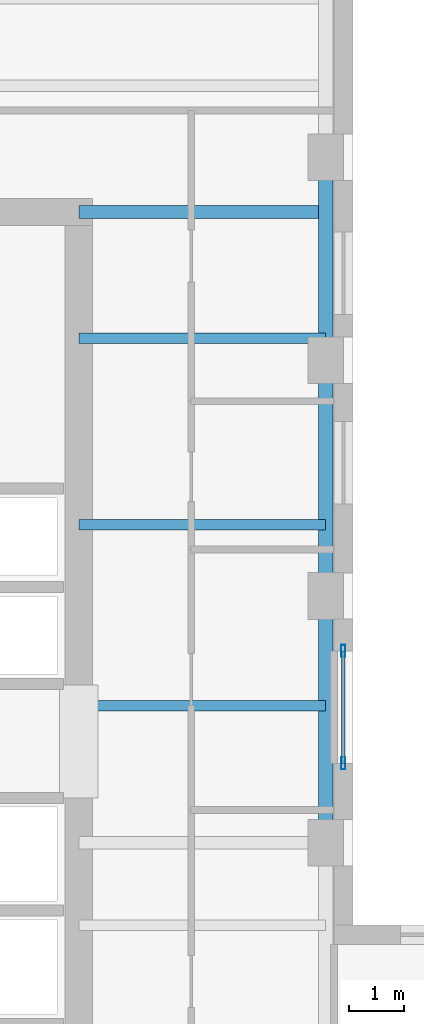
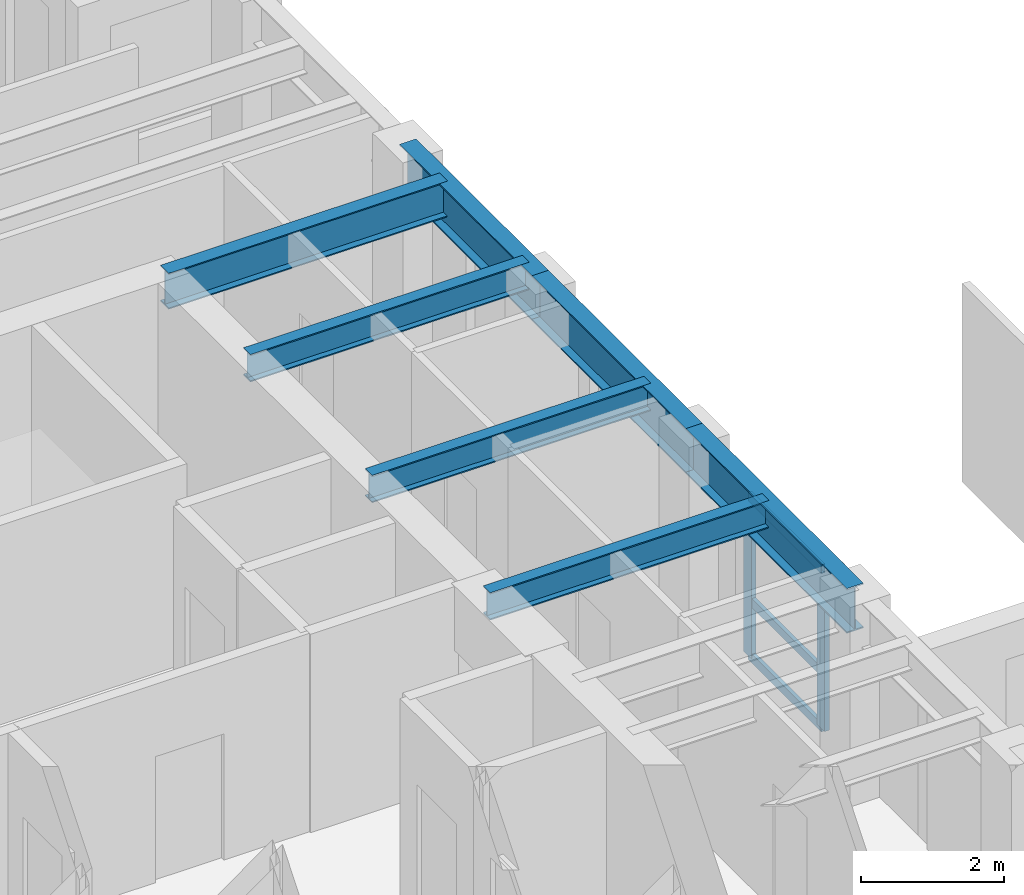
# One storey, part 2 of 11: 7 beams, 5 members, 1 element without a shape of its own.
"""IFC4 building model written with IfcOpenShell, lengths in metres."""

import ifcopenshell
import ifcopenshell.guid

model = None  # the IFC model being written
_history = None  # IfcOwnerHistory: only IFC2X3 demands one
_inside = {}  # id of a spatial element -> (the spatial element, [elements in it])
_under = {}  # id of a project, library or spatial element -> (it, [spatial elements below it])
_declared = {}  # id of a project -> (the project, [libraries it declares])
_typed = {}  # id of a type object -> (the type object, [elements of that type])
_made_of = {}  # id of a material, layer set ... -> (it, [elements and type objects made of it])


def new_model(schema):
    """Start an empty IFC model of exactly this schema.

    Asked for "IFC4X3", IfcOpenShell would pick the latest addendum, in which some entities
    have other attributes; the version numbers below select the first issue.
    IFC2X3 requires an IfcOwnerHistory on every rooted entity: one is made here for all.
    """
    global model, _history
    if schema == "IFC4X3":
        model = ifcopenshell.file(schema_version=(4, 3, 0, 0))
    else:
        model = ifcopenshell.file(schema=schema)
    _inside.clear()
    _under.clear()
    _declared.clear()
    _typed.clear()
    _made_of.clear()
    _history = None
    if model.schema == "IFC2X3":
        org = make("IfcOrganization", Name="unknown")
        user = make(
            "IfcPersonAndOrganization",
            ThePerson=make("IfcPerson", FamilyName="unknown"),
            TheOrganization=org,
        )
        app = make(
            "IfcApplication",
            ApplicationDeveloper=org,
            Version="unknown",
            ApplicationFullName="unknown",
            ApplicationIdentifier="unknown",
        )
        _history = make(
            "IfcOwnerHistory",
            OwningUser=user,
            OwningApplication=app,
            ChangeAction="ADDED",
            CreationDate=0,
        )
    return model


def make(cls, **values):
    """One entity of the class cls with the attributes given. An attribute that is None is left unset."""
    return model.create_entity(
        cls, **{name: value for name, value in values.items() if value is not None}
    )


def rooted(cls, **values):
    """An entity with a GlobalId (a new one), such as an element, a storey or a relation."""
    return make(cls, GlobalId=ifcopenshell.guid.new(), OwnerHistory=_history, **values)


def si_unit(unit_type, name, prefix=None):
    """IfcSIUnit, for example si_unit("LENGTHUNIT", "METRE", prefix="MILLI")."""
    return make("IfcSIUnit", UnitType=unit_type, Prefix=prefix, Name=name)


def assignment(units):
    """IfcUnitAssignment: the units of a project."""
    return None if units is None else make("IfcUnitAssignment", Units=units)


def point(xyz):
    """IfcCartesianPoint."""
    return None if xyz is None else make("IfcCartesianPoint", Coordinates=xyz)


def direction(xyz):
    """IfcDirection."""
    return None if xyz is None else make("IfcDirection", DirectionRatios=xyz)


def frame(location, z_axis=None, x_axis=None):
    """IfcAxis2Placement3D, a coordinate frame: its origin and axes. An axis left out is left unset."""
    return make(
        "IfcAxis2Placement3D",
        Location=point(location),
        Axis=direction(z_axis),
        RefDirection=direction(x_axis),
    )


def frame_2d(location, x_axis=None):
    """IfcAxis2Placement2D, a coordinate frame in the plane: its origin and x axis."""
    return make(
        "IfcAxis2Placement2D", Location=point(location), RefDirection=direction(x_axis)
    )


def origin():
    """The frame at (0, 0, 0) with its axes left unset."""
    return frame((0.0, 0.0, 0.0))


def origin_2d():
    """The frame at (0, 0) in the plane with its x axis left unset."""
    return frame_2d((0.0, 0.0))


def place(relative_to, where):
    """IfcLocalPlacement: puts the frame where relative to a parent placement (None: the world)."""
    return make(
        "IfcLocalPlacement", PlacementRelTo=relative_to, RelativePlacement=where
    )


def context(
    kind, dimensions, precision=None, world=None, true_north=None, identifier=None
):
    """IfcGeometricRepresentationContext, for example the 3D "Model" context."""
    return make(
        "IfcGeometricRepresentationContext",
        ContextIdentifier=identifier,
        ContextType=kind,
        CoordinateSpaceDimension=dimensions,
        Precision=precision,
        WorldCoordinateSystem=world,
        TrueNorth=true_north,
    )


def subcontext(parent, identifier, kind, view, scale=None):
    """IfcGeometricRepresentationSubContext, for example "Body" below "Model"."""
    return make(
        "IfcGeometricRepresentationSubContext",
        ContextIdentifier=identifier,
        ContextType=kind,
        ParentContext=parent,
        TargetScale=scale,
        TargetView=view,
    )


def project(units=None, contexts=None):
    """IfcProject with its units and contexts."""
    return rooted(
        "IfcProject",
        Name="project",
        RepresentationContexts=contexts,
        UnitsInContext=assignment(units),
    )


def spatial(cls, under=None, at=None, **own):
    """A site, building, storey or space (cls), placed at a placement, below another one or the project."""
    s = rooted(cls, ObjectPlacement=at, **own)
    if under is not None:
        _under.setdefault(under.id(), (under, []))[1].append(s)
    return s


def profile(cls, at=None, kind="AREA", **sizes):
    """A parametric profile (cls). Its sizes go by their IFC names, for example OverallWidth=200.0."""
    return make(cls, ProfileType=kind, Position=at, **sizes)


def hollow_rectangle(**sizes):
    """IfcRectangleHollowProfileDef."""
    return profile("IfcRectangleHollowProfileDef", **sizes)


def i_section(**sizes):
    """IfcIShapeProfileDef."""
    return profile("IfcIShapeProfileDef", **sizes)


def extrude(swept, where, along, depth):
    """IfcExtrudedAreaSolid: the profile swept, set in the frame where, extruded along a direction by depth."""
    return make(
        "IfcExtrudedAreaSolid",
        SweptArea=swept,
        Position=where,
        ExtrudedDirection=direction(along),
        Depth=depth,
    )


def shape(context_of_items, identifier, shape_type, items):
    """IfcShapeRepresentation: the items that make up one representation, for example the "Body"."""
    return make(
        "IfcShapeRepresentation",
        ContextOfItems=context_of_items,
        RepresentationIdentifier=identifier,
        RepresentationType=shape_type,
        Items=items,
    )


def source(mapping_origin, context_of_items, identifier, shape_type, items):
    """IfcRepresentationMap: a shape defined once, which mapped items show again and again."""
    return make(
        "IfcRepresentationMap",
        MappingOrigin=mapping_origin,
        MappedRepresentation=shape(context_of_items, identifier, shape_type, items),
    )


def transform(
    local_origin,
    x_axis=None,
    y_axis=None,
    z_axis=None,
    scale=None,
    scale2=None,
    scale3=None,
    uniform=True,
):
    """IfcCartesianTransformationOperator3D, or its non-uniform kind. x_axis, y_axis, z_axis: its Axis1, 2, 3."""
    if uniform:
        return make(
            "IfcCartesianTransformationOperator3D",
            Axis1=direction(x_axis),
            Axis2=direction(y_axis),
            LocalOrigin=point(local_origin),
            Scale=scale,
            Axis3=direction(z_axis),
        )
    return make(
        "IfcCartesianTransformationOperator3DnonUniform",
        Axis1=direction(x_axis),
        Axis2=direction(y_axis),
        LocalOrigin=point(local_origin),
        Scale=scale,
        Axis3=direction(z_axis),
        Scale2=scale2,
        Scale3=scale3,
    )


def mapped(mapping_source, mapping_target):
    """IfcMappedItem: shows the shape of a source again, moved by a transform."""
    return make(
        "IfcMappedItem", MappingSource=mapping_source, MappingTarget=mapping_target
    )


def material(Name=None, Category=None):
    """IfcMaterial."""
    return make("IfcMaterial", Name=Name, Category=Category)


def layer(
    of_material, thickness, ventilated=None, Name=None, Category=None, Priority=None
):
    """IfcMaterialLayer: one layer of a wall or slab, of a material (None: an air gap)."""
    return make(
        "IfcMaterialLayer",
        Material=of_material,
        LayerThickness=thickness,
        IsVentilated=ventilated,
        Name=Name,
        Category=Category,
        Priority=Priority,
    )


def layer_set(layers, Name=None):
    """IfcMaterialLayerSet."""
    return make("IfcMaterialLayerSet", MaterialLayers=layers, LayerSetName=Name)


def material_profile(
    of_material, cross_section, Name=None, Category=None, Priority=None
):
    """IfcMaterialProfile: a cross section and its material."""
    return make(
        "IfcMaterialProfile",
        Name=Name,
        Material=of_material,
        Profile=cross_section,
        Priority=Priority,
        Category=Category,
    )


def profile_set(profiles, Name=None, composite=None):
    """IfcMaterialProfileSet."""
    return make(
        "IfcMaterialProfileSet",
        Name=Name,
        MaterialProfiles=profiles,
        CompositeProfile=composite,
    )


def made_of(thing, what):
    """Note that an element or type object is made of a material, layer set ...; save() writes the relation."""
    if what is not None:
        _made_of.setdefault(what.id(), (what, []))[1].append(thing)
    return thing


def type_object(cls, material=None, **own):
    """A type object (cls), such as IfcWallType, which elements share."""
    return made_of(rooted(cls, **own), material)


def element(
    cls,
    number,
    at=None,
    inside=None,
    cuts=None,
    type_object=None,
    material=None,
    context=None,
    identifier="Body",
    shape_type=None,
    held_by="IfcProductDefinitionShape",
    body=None,
    shapes=None,
    **own,
):
    """One element of the class cls, such as IfcWall. Its Tag is "e" and its number.

    at: its placement. inside: the storey or other place that contains it. cuts: it is an
    opening in that element (IfcRelVoidsElement). A single representation is given by context,
    identifier, shape_type and body (its items); several are given by shapes. held_by: the class
    of the entity that holds the representations. save() writes the other relations.
    """
    e = rooted(cls, Tag="e%d" % number, ObjectPlacement=at, **own)
    if body is not None:
        shapes = [shape(context, identifier, shape_type, body)]
    if shapes is not None:
        e.Representation = make(held_by, Representations=shapes)
    if inside is not None:
        _inside.setdefault(inside.id(), (inside, []))[1].append(e)
    if cuts is not None:
        rooted(
            "IfcRelVoidsElement", RelatingBuildingElement=cuts, RelatedOpeningElement=e
        )
    if type_object is not None:
        _typed.setdefault(type_object.id(), (type_object, []))[1].append(e)
    return made_of(e, material)


def aggregate(whole, parts):
    """IfcRelAggregates: a whole, such as a stair, and the parts it consists of."""
    return rooted("IfcRelAggregates", RelatingObject=whole, RelatedObjects=parts)


def save(model, path):
    """Write the relations noted so far, then the file.

    IfcRelAggregates (storeys below a building ...), IfcRelContainedInSpatialStructure (elements
    in a storey), IfcRelDefinesByType, IfcRelAssociatesMaterial and IfcRelDeclares: one each for
    every whole, place, type object, material and project.
    """
    for whole, parts in _under.values():
        aggregate(whole, parts)
    for where, things in _inside.values():
        rooted(
            "IfcRelContainedInSpatialStructure",
            RelatedElements=things,
            RelatingStructure=where,
        )
    for kind, things in _typed.values():
        rooted("IfcRelDefinesByType", RelatedObjects=things, RelatingType=kind)
    for what, things in _made_of.values():
        rooted("IfcRelAssociatesMaterial", RelatedObjects=things, RelatingMaterial=what)
    for by, libraries in _declared.values():
        rooted("IfcRelDeclares", RelatingContext=by, RelatedDefinitions=libraries)
    model.write(path)


model = new_model("IFC4")

# Units and contexts
model_context = context("Model", 3, precision=1e-05, world=origin(), true_north=direction((0.0, 1.0)))
body_context = subcontext(model_context, "Body", "Model", "MODEL_VIEW")
ifc_project = project(units=[si_unit("LENGTHUNIT", "METRE"), si_unit("AREAUNIT", "SQUARE_METRE"), si_unit("VOLUMEUNIT", "CUBIC_METRE"), si_unit("PLANEANGLEUNIT", "RADIAN"), si_unit("MASSUNIT", "GRAM", prefix="KILO")], contexts=[model_context])

# Site, building, storey
site_placement = place(None, origin())
site = spatial("IfcSite", under=ifc_project, at=site_placement, CompositionType="ELEMENT")
building_placement = place(site_placement, origin())
building = spatial("IfcBuilding", under=site, at=building_placement, Name="Kharzan Plaza Tower", CompositionType="ELEMENT")
storey_placement = place(building_placement, frame((0.0, 0.0, 226.800048828125)))
storey = spatial("IfcBuildingStorey", under=building, at=storey_placement, Name="L61", CompositionType="ELEMENT", Elevation=226.800048828125)

# Beams
ifc_material_1 = material(Name="Steel S355", Category="steel")
ifc_material_profile_1 = material_profile(ifc_material_1, i_section(OverallWidth=0.194091796875, OverallDepth=0.468994140625, WebThickness=0.011474609375, FlangeThickness=0.0205078125, at=origin_2d()), Name="W460x106")
ifc_profile_set_1 = profile_set([ifc_material_profile_1], Name="Steel S355")
beam_type_1 = type_object("IfcBeamType", Name="BM-JST460", PredefinedType="JOIST", material=ifc_profile_set_1)
shared_shape_1 = source(origin(), body_context, "Body", "SweptSolid", [
    extrude(i_section(OverallWidth=0.194091796875, OverallDepth=0.468994140625, WebThickness=0.011474609375, FlangeThickness=0.0205078125, at=origin_2d()), origin(), (0.0, 0.0, 1.0), 4.5),
])
for number, where, z_axis, x_axis, name in (
    (1, (14.5, 20.5, 3.16552734375), (1.0, 0.0, 0.0), (0.0, 1.0, 0.0), "L61 Wing A East Infill Joist 4"),
    (2, (14.5, 23.800048828125, 3.16552734375), (1.0, 0.0, 0.0), (0.0, 1.0, 0.0), "L61 Wing A East Infill Joist 5"),
    (3, (14.5, 27.199951171875, 3.16552734375), (1.0, 0.0, 0.0), (0.0, 1.0, 0.0), "L61 Wing A East Infill Joist 6"),
):
    element("IfcBeam", number, at=place(storey_placement, frame(where, z_axis=z_axis, x_axis=x_axis)), inside=storey, type_object=beam_type_1, Name=name, PredefinedType="JOIST", context=body_context, shape_type="MappedRepresentation", body=[
        mapped(shared_shape_1, transform((0.0, 0.0, 0.0), x_axis=(1.0, 0.0, 0.0), y_axis=(0.0, 1.0, 0.0), z_axis=(0.0, 0.0, 1.0))),
    ])

# Curtain wall, members
ifc_material_2 = material(Name="Unitised Bronze-Anodized Aluminium and Low-E Glass", Category="aluminium")
ifc_layer = layer(ifc_material_2, 0.199951171875)
ifc_layer_set = layer_set([ifc_layer], Name="Unitised Bronze-Anodized Aluminium and Low-E Glass")
curtain_wall_type = type_object("IfcCurtainWallType", Name="CW-SLOT-3", PredefinedType="NOTDEFINED", material=ifc_layer_set)
curtain_wall_placement = place(storey_placement, origin())
curtain_wall = element("IfcCurtainWall", 4, at=curtain_wall_placement, inside=storey, type_object=curtain_wall_type, Name="L61 West Slot Recessed Spine Curtain Wall", PredefinedType="NOTDEFINED")
ifc_material_3 = material(Name="Anodized Bronze Aluminium", Category="aluminium")
ifc_material_profile_2 = material_profile(ifc_material_3, hollow_rectangle(XDim=0.074951171875, YDim=0.219970703125, WallThickness=0.00390625, at=origin_2d()), Name="ALU-M220x75x4")
ifc_profile_set_2 = profile_set([ifc_material_profile_2], Name="Anodized Bronze Aluminium")
member_type_1 = type_object("IfcMemberType", Name="MEM-CW-MUL200", PredefinedType="MULLION", material=ifc_profile_set_2)
shared_shape_2 = source(origin(), body_context, "Body", "SweptSolid", [
    extrude(hollow_rectangle(XDim=0.074951171875, YDim=0.219970703125, WallThickness=0.00390625, at=origin_2d()), origin(), (0.0, 0.0, 1.0), 2.699951171875),
])
member_1_placement = place(storey_placement, frame((19.320068359375, 19.449951171875, 0.0), z_axis=(0.0, 0.0, 1.0), x_axis=(1.0, 0.0, 0.0)))
member_1 = element("IfcMember", 5, at=member_1_placement, type_object=member_type_1, Name="L61 Curtain-Wall Mullion 00", PredefinedType="MULLION", context=body_context, shape_type="MappedRepresentation", body=[
    mapped(shared_shape_2, transform((0.0, 0.0, 0.0), x_axis=(1.0, 0.0, 0.0), y_axis=(0.0, 1.0, 0.0), z_axis=(0.0, 0.0, 1.0))),
])
member_2_placement = place(storey_placement, frame((19.320068359375, 21.5, 0.0), z_axis=(0.0, 0.0, 1.0), x_axis=(1.0, 0.0, 0.0)))
member_2 = element("IfcMember", 6, at=member_2_placement, type_object=member_type_1, Name="L61 Curtain-Wall Mullion 01", PredefinedType="MULLION", context=body_context, shape_type="MappedRepresentation", body=[
    mapped(shared_shape_2, transform((0.0, 0.0, 0.0), x_axis=(1.0, 0.0, 0.0), y_axis=(0.0, 1.0, 0.0), z_axis=(0.0, 0.0, 1.0))),
])
ifc_material_profile_3 = material_profile(ifc_material_3, hollow_rectangle(XDim=0.06005859375, YDim=0.14990234375, WallThickness=0.00341796875, at=origin_2d()), Name="ALU-T150x60x3.5")
ifc_profile_set_3 = profile_set([ifc_material_profile_3], Name="Anodized Bronze Aluminium")
member_type_2 = type_object("IfcMemberType", Name="MEM-CW-TRN150", PredefinedType="USERDEFINED", material=ifc_profile_set_3)
shared_shape_3 = source(origin(), body_context, "Body", "SweptSolid", [
    extrude(hollow_rectangle(XDim=0.06005859375, YDim=0.14990234375, WallThickness=0.00341796875, at=origin_2d()), origin(), (0.0, 0.0, 1.0), 2.050048828125),
])
member_3_placement = place(storey_placement, frame((19.320068359375, 19.449951171875, 0.0), z_axis=(0.0, 1.0, 0.0), x_axis=(-1.0, 0.0, 0.0)))
member_3 = element("IfcMember", 7, at=member_3_placement, type_object=member_type_2, Name="L61 Curtain-Wall Transom 1", ObjectType="TRANSOM", PredefinedType="USERDEFINED", context=body_context, shape_type="MappedRepresentation", body=[
    mapped(shared_shape_3, transform((0.0, 0.0, 0.0), x_axis=(1.0, 0.0, 0.0), y_axis=(0.0, 1.0, 0.0), z_axis=(0.0, 0.0, 1.0))),
])
member_4_placement = place(storey_placement, frame((19.320068359375, 19.449951171875, 0.949951171875), z_axis=(0.0, 1.0, 0.0), x_axis=(-1.0, 0.0, 0.0)))
member_4 = element("IfcMember", 8, at=member_4_placement, type_object=member_type_2, Name="L61 Curtain-Wall Transom 2", ObjectType="TRANSOM", PredefinedType="USERDEFINED", context=body_context, shape_type="MappedRepresentation", body=[
    mapped(shared_shape_3, transform((0.0, 0.0, 0.0), x_axis=(1.0, 0.0, 0.0), y_axis=(0.0, 1.0, 0.0), z_axis=(0.0, 0.0, 1.0))),
])
member_5_placement = place(storey_placement, frame((19.320068359375, 19.449951171875, 2.699951171875), z_axis=(0.0, 1.0, 0.0), x_axis=(-1.0, 0.0, 0.0)))
member_5 = element("IfcMember", 9, at=member_5_placement, type_object=member_type_2, Name="L61 Curtain-Wall Transom 3", ObjectType="TRANSOM", PredefinedType="USERDEFINED", context=body_context, shape_type="MappedRepresentation", body=[
    mapped(shared_shape_3, transform((0.0, 0.0, 0.0), x_axis=(1.0, 0.0, 0.0), y_axis=(0.0, 1.0, 0.0), z_axis=(0.0, 0.0, 1.0))),
])
aggregate(curtain_wall, [member_1, member_2, member_3, member_4, member_5])

# Beams
ifc_material_profile_4 = material_profile(ifc_material_1, i_section(OverallWidth=0.22900390625, OverallDepth=0.612060546875, WebThickness=0.011962890625, FlangeThickness=0.01953125, at=origin_2d()), Name="W610x125")
ifc_profile_set_4 = profile_set([ifc_material_profile_4], Name="Steel S355")
beam_type_2 = type_object("IfcBeamType", Name="BM-FG610B", PredefinedType="BEAM", material=ifc_profile_set_4)
shared_shape_4 = source(origin(), body_context, "Body", "SweptSolid", [
    extrude(i_section(OverallWidth=0.22900390625, OverallDepth=0.612060546875, WebThickness=0.011962890625, FlangeThickness=0.01953125, at=origin_2d()), origin(), (0.0, 0.0, 1.0), 4.5),
])
beam_1_placement = place(storey_placement, frame((14.5, 29.5, 3.093994140625), z_axis=(1.0, 0.0, 0.0), x_axis=(0.0, 1.0, 0.0)))
element("IfcBeam", 10, at=beam_1_placement, inside=storey, type_object=beam_type_2, Name="L61 Core-A East Floor Girder 3", PredefinedType="BEAM", context=body_context, shape_type="MappedRepresentation", body=[
    mapped(shared_shape_4, transform((0.0, 0.0, 0.0), x_axis=(1.0, 0.0, 0.0), y_axis=(0.0, 1.0, 0.0), z_axis=(0.0, 0.0, 1.0))),
])
ifc_material_profile_5 = material_profile(ifc_material_1, i_section(OverallWidth=0.26708984375, OverallDepth=0.76611328125, WebThickness=0.014892578125, FlangeThickness=0.023681640625, at=origin_2d()), Name="W760x185")
ifc_profile_set_5 = profile_set([ifc_material_profile_5], Name="Steel S355")
beam_type_3 = type_object("IfcBeamType", Name="BM-SP760B", PredefinedType="SPANDREL", material=ifc_profile_set_5)
shared_shape_5 = source(origin(), body_context, "Body", "SweptSolid", [
    extrude(i_section(OverallWidth=0.26708984375, OverallDepth=0.76611328125, WebThickness=0.014892578125, FlangeThickness=0.023681640625, at=origin_2d()), origin(), (0.0, 0.0, 1.0), 4.5),
])
beam_2_placement = place(storey_placement, frame((19.0, 18.0, 3.016845703125), z_axis=(0.0, 1.0, 0.0), x_axis=(-1.0, 0.0, 0.0)))
element("IfcBeam", 11, at=beam_2_placement, inside=storey, type_object=beam_type_3, Name="L61 Perimeter Tube Spandrel", PredefinedType="SPANDREL", context=body_context, shape_type="MappedRepresentation", body=[
    mapped(shared_shape_5, transform((0.0, 0.0, 0.0), x_axis=(1.0, 0.0, 0.0), y_axis=(0.0, 1.0, 0.0), z_axis=(0.0, 0.0, 1.0))),
])
shared_shape_6 = source(origin(), body_context, "Body", "SweptSolid", [
    extrude(i_section(OverallWidth=0.26708984375, OverallDepth=0.76611328125, WebThickness=0.014892578125, FlangeThickness=0.023681640625, at=origin_2d()), origin(), (0.0, 0.0, 1.0), 4.300048828125),
])
beam_3_placement = place(storey_placement, frame((19.0, 22.5, 3.016845703125), z_axis=(0.0, 1.0, 0.0), x_axis=(-1.0, 0.0, 0.0)))
element("IfcBeam", 12, at=beam_3_placement, inside=storey, type_object=beam_type_3, Name="L61 Perimeter Tube Spandrel", PredefinedType="SPANDREL", context=body_context, shape_type="MappedRepresentation", body=[
    mapped(shared_shape_6, transform((0.0, 0.0, 0.0), x_axis=(1.0, 0.0, 0.0), y_axis=(0.0, 1.0, 0.0), z_axis=(0.0, 0.0, 1.0))),
])
shared_shape_7 = source(origin(), body_context, "Body", "SweptSolid", [
    extrude(i_section(OverallWidth=0.26708984375, OverallDepth=0.76611328125, WebThickness=0.014892578125, FlangeThickness=0.023681640625, at=origin_2d()), origin(), (0.0, 0.0, 1.0), 3.699951171875),
])
beam_4_placement = place(storey_placement, frame((19.0, 26.800048828125, 3.016845703125), z_axis=(0.0, 1.0, 0.0), x_axis=(-1.0, 0.0, 0.0)))
element("IfcBeam", 13, at=beam_4_placement, inside=storey, type_object=beam_type_3, Name="L61 Perimeter Tube Spandrel", PredefinedType="SPANDREL", context=body_context, shape_type="MappedRepresentation", body=[
    mapped(shared_shape_7, transform((0.0, 0.0, 0.0), x_axis=(1.0, 0.0, 0.0), y_axis=(0.0, 1.0, 0.0), z_axis=(0.0, 0.0, 1.0))),
])

save(model, "model.ifc")
